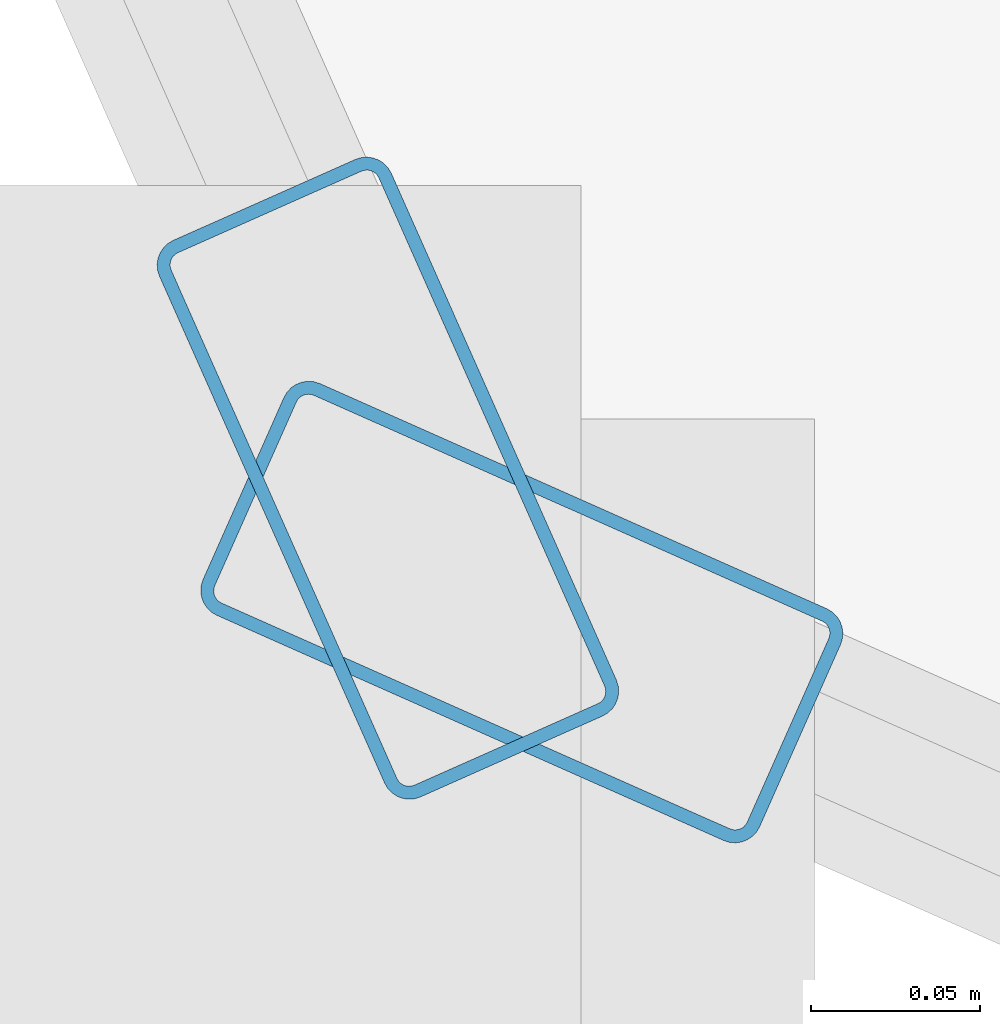
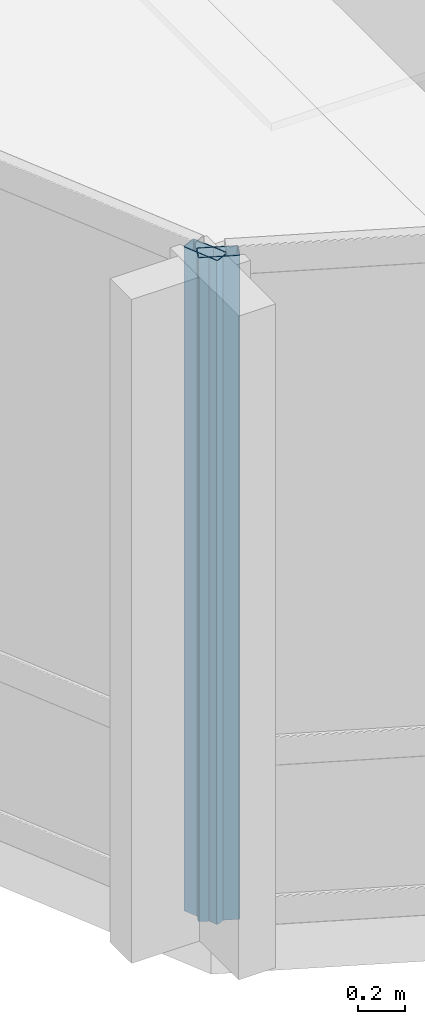
# One storey, part 2 of 28: 2 members, 2 elements without a shape of their own.
"""IFC4 building model written with IfcOpenShell, lengths in metres."""

from ifc_helpers import new_model, si_unit, direction, frame, origin, origin_2d, place, context, subcontext, project, spatial, hollow_rectangle, extrude, material, layer, layer_set, material_profile, profile_set, type_object, element, aggregate, save


model = new_model("IFC4")

# Units and contexts
model_context = context("Model", 3, precision=1e-05, world=origin(), true_north=direction((0.0, 1.0)))
body_context = subcontext(model_context, "Body", "Model", "MODEL_VIEW")
ifc_project = project(units=[si_unit("LENGTHUNIT", "METRE"), si_unit("AREAUNIT", "SQUARE_METRE"), si_unit("VOLUMEUNIT", "CUBIC_METRE"), si_unit("PLANEANGLEUNIT", "RADIAN"), si_unit("MASSUNIT", "GRAM", prefix="KILO")], contexts=[model_context])

# Site, building, storey
site_placement = place(None, origin())
site = spatial("IfcSite", under=ifc_project, at=site_placement, CompositionType="ELEMENT")
building_placement = place(site_placement, origin())
building = spatial("IfcBuilding", under=site, at=building_placement, Name="Solvaryn Broadcast Tower", CompositionType="ELEMENT")
storey_placement = place(building_placement, frame((0.0, 0.0, 150.699951171875)))
storey = spatial("IfcBuildingStorey", under=building, at=storey_placement, Name="L37", CompositionType="ELEMENT", Elevation=150.699951171875)

# Curtain wall, member
ifc_material_1 = material(Name="Aluminium and Terracotta Unitised Curtain Wall", Category="masonry")
ifc_layer_1 = layer(ifc_material_1, 0.239990234375)
ifc_layer_set_1 = layer_set([ifc_layer_1], Name="CW-SYS3-BAYBOX")
curtain_wall_type_1 = type_object("IfcCurtainWallType", Name="CW-SYS3-BAYBOX", PredefinedType="NOTDEFINED", material=ifc_layer_set_1)
curtain_wall_1_placement = place(storey_placement, origin())
curtain_wall_1 = element("IfcCurtainWall", 1, at=curtain_wall_1_placement, inside=storey, type_object=curtain_wall_type_1, Name="L37 Curtain Wall DR2", PredefinedType="NOTDEFINED")
ifc_material_2 = material(Name="Anodised Aluminium 6063-T6", Category="aluminium")
ifc_material_profile = material_profile(ifc_material_2, hollow_rectangle(XDim=0.074951171875, YDim=0.179931640625, WallThickness=0.00390625, InnerFilletRadius=0.00390625, OuterFilletRadius=0.008056640625, at=origin_2d()))
ifc_profile_set = profile_set([ifc_material_profile], Name="Anodised Aluminium 6063-T6")
member_type = type_object("IfcMemberType", Name="CW-MUL-180", PredefinedType="MULLION", material=ifc_profile_set)
member_1_placement = place(storey_placement, frame((8.895751953125, 8.935302734375, 0.0), z_axis=(0.0, 0.0, 1.0), x_axis=(0.913909311008, 0.405918429309, 0.0)))
member_1 = element("IfcMember", 2, at=member_1_placement, type_object=member_type, Name="CWS3 mullion 2", PredefinedType="MULLION", context=body_context, shape_type="SweptSolid", body=[
    extrude(hollow_rectangle(XDim=0.074951171875, YDim=0.179931640625, WallThickness=0.00390625, InnerFilletRadius=0.00390625, OuterFilletRadius=0.008056640625, at=origin_2d()), origin(), (0.0, 0.0, 1.0), 3.420166015625),
])
aggregate(curtain_wall_1, [member_1])

ifc_material_3 = material(Name="Aluminium and Terracotta Unitised Curtain Wall", Category="masonry")
ifc_layer_2 = layer(ifc_material_3, 0.199951171875)
ifc_layer_set_2 = layer_set([ifc_layer_2], Name="CW-SYS2-LOWMID")
curtain_wall_type_2 = type_object("IfcCurtainWallType", Name="CW-SYS2-LOWMID", PredefinedType="NOTDEFINED", material=ifc_layer_set_2)
curtain_wall_2_placement = place(storey_placement, origin())
curtain_wall_2 = element("IfcCurtainWall", 3, at=curtain_wall_2_placement, inside=storey, type_object=curtain_wall_type_2, Name="L37 Curtain Wall DR3", PredefinedType="NOTDEFINED")
member_2_placement = place(storey_placement, frame((8.935302734375, 8.895751953125, 0.0), z_axis=(0.0, 0.0, 1.0), x_axis=(0.405918429309, 0.913909311008, 0.0)))
member_2 = element("IfcMember", 4, at=member_2_placement, type_object=member_type, Name="CWS2 mullion 1", PredefinedType="MULLION", context=body_context, shape_type="SweptSolid", body=[
    extrude(hollow_rectangle(XDim=0.074951171875, YDim=0.179931640625, WallThickness=0.00390625, InnerFilletRadius=0.00390625, OuterFilletRadius=0.008056640625, at=origin_2d()), origin(), (0.0, 0.0, 1.0), 3.420166015625),
])
aggregate(curtain_wall_2, [member_2])

save(model, "model.ifc")
